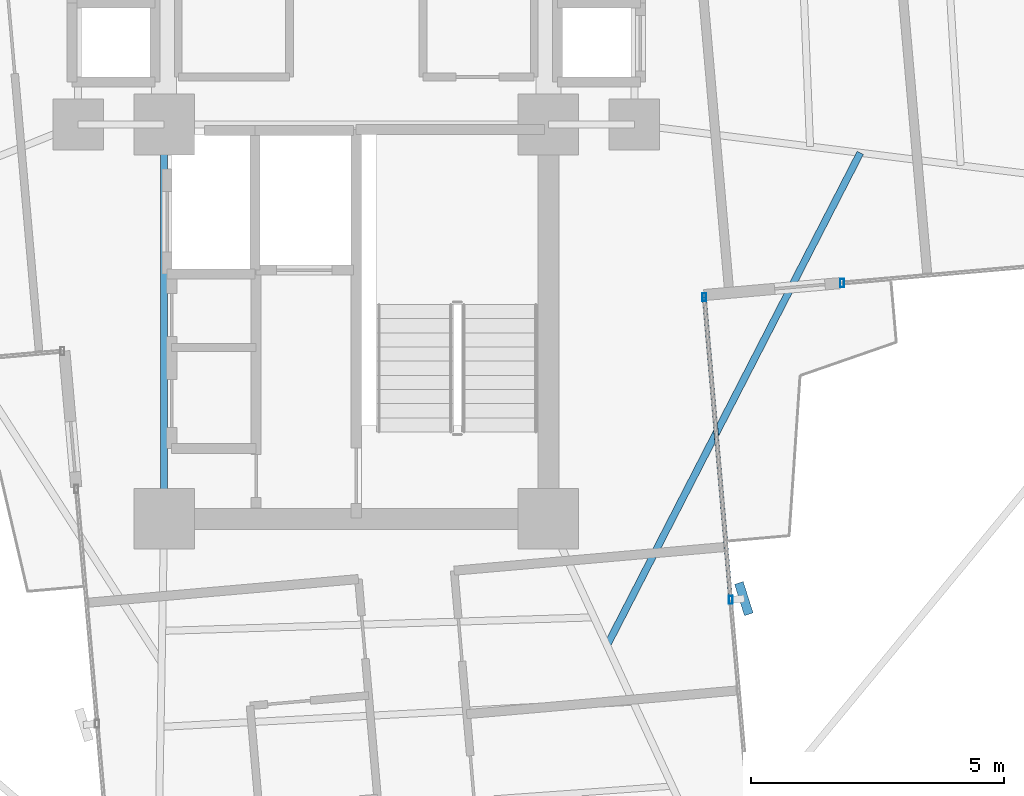
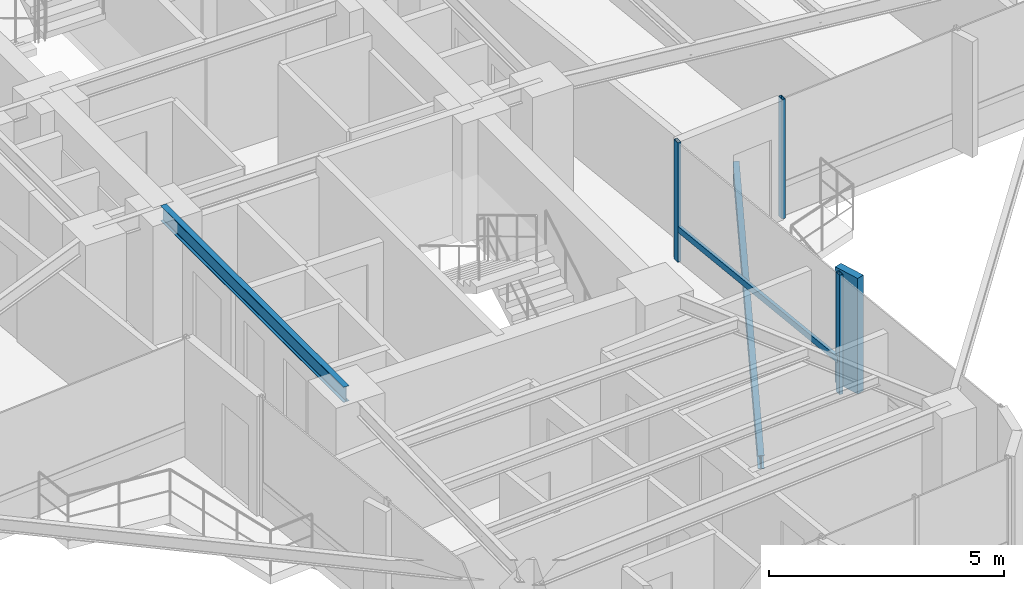
# One storey, part 7 of 24: 5 members, 2 beams, 2 elements without a shape of their own.
"""IFC4 building model written with IfcOpenShell, lengths in metres."""

import ifcopenshell
import ifcopenshell.guid

model = None  # the IFC model being written
_history = None  # IfcOwnerHistory: only IFC2X3 demands one
_inside = {}  # id of a spatial element -> (the spatial element, [elements in it])
_under = {}  # id of a project, library or spatial element -> (it, [spatial elements below it])
_declared = {}  # id of a project -> (the project, [libraries it declares])
_typed = {}  # id of a type object -> (the type object, [elements of that type])
_made_of = {}  # id of a material, layer set ... -> (it, [elements and type objects made of it])


def new_model(schema):
    """Start an empty IFC model of exactly this schema.

    Asked for "IFC4X3", IfcOpenShell would pick the latest addendum, in which some entities
    have other attributes; the version numbers below select the first issue.
    IFC2X3 requires an IfcOwnerHistory on every rooted entity: one is made here for all.
    """
    global model, _history
    if schema == "IFC4X3":
        model = ifcopenshell.file(schema_version=(4, 3, 0, 0))
    else:
        model = ifcopenshell.file(schema=schema)
    _inside.clear()
    _under.clear()
    _declared.clear()
    _typed.clear()
    _made_of.clear()
    _history = None
    if model.schema == "IFC2X3":
        org = make("IfcOrganization", Name="unknown")
        user = make(
            "IfcPersonAndOrganization",
            ThePerson=make("IfcPerson", FamilyName="unknown"),
            TheOrganization=org,
        )
        app = make(
            "IfcApplication",
            ApplicationDeveloper=org,
            Version="unknown",
            ApplicationFullName="unknown",
            ApplicationIdentifier="unknown",
        )
        _history = make(
            "IfcOwnerHistory",
            OwningUser=user,
            OwningApplication=app,
            ChangeAction="ADDED",
            CreationDate=0,
        )
    return model


def make(cls, **values):
    """One entity of the class cls with the attributes given. An attribute that is None is left unset."""
    return model.create_entity(
        cls, **{name: value for name, value in values.items() if value is not None}
    )


def rooted(cls, **values):
    """An entity with a GlobalId (a new one), such as an element, a storey or a relation."""
    return make(cls, GlobalId=ifcopenshell.guid.new(), OwnerHistory=_history, **values)


def si_unit(unit_type, name, prefix=None):
    """IfcSIUnit, for example si_unit("LENGTHUNIT", "METRE", prefix="MILLI")."""
    return make("IfcSIUnit", UnitType=unit_type, Prefix=prefix, Name=name)


def assignment(units):
    """IfcUnitAssignment: the units of a project."""
    return None if units is None else make("IfcUnitAssignment", Units=units)


def point(xyz):
    """IfcCartesianPoint."""
    return None if xyz is None else make("IfcCartesianPoint", Coordinates=xyz)


def direction(xyz):
    """IfcDirection."""
    return None if xyz is None else make("IfcDirection", DirectionRatios=xyz)


def frame(location, z_axis=None, x_axis=None):
    """IfcAxis2Placement3D, a coordinate frame: its origin and axes. An axis left out is left unset."""
    return make(
        "IfcAxis2Placement3D",
        Location=point(location),
        Axis=direction(z_axis),
        RefDirection=direction(x_axis),
    )


def frame_2d(location, x_axis=None):
    """IfcAxis2Placement2D, a coordinate frame in the plane: its origin and x axis."""
    return make(
        "IfcAxis2Placement2D", Location=point(location), RefDirection=direction(x_axis)
    )


def origin():
    """The frame at (0, 0, 0) with its axes left unset."""
    return frame((0.0, 0.0, 0.0))


def origin_2d():
    """The frame at (0, 0) in the plane with its x axis left unset."""
    return frame_2d((0.0, 0.0))


def place(relative_to, where):
    """IfcLocalPlacement: puts the frame where relative to a parent placement (None: the world)."""
    return make(
        "IfcLocalPlacement", PlacementRelTo=relative_to, RelativePlacement=where
    )


def context(
    kind, dimensions, precision=None, world=None, true_north=None, identifier=None
):
    """IfcGeometricRepresentationContext, for example the 3D "Model" context."""
    return make(
        "IfcGeometricRepresentationContext",
        ContextIdentifier=identifier,
        ContextType=kind,
        CoordinateSpaceDimension=dimensions,
        Precision=precision,
        WorldCoordinateSystem=world,
        TrueNorth=true_north,
    )


def subcontext(parent, identifier, kind, view, scale=None):
    """IfcGeometricRepresentationSubContext, for example "Body" below "Model"."""
    return make(
        "IfcGeometricRepresentationSubContext",
        ContextIdentifier=identifier,
        ContextType=kind,
        ParentContext=parent,
        TargetScale=scale,
        TargetView=view,
    )


def project(units=None, contexts=None):
    """IfcProject with its units and contexts."""
    return rooted(
        "IfcProject",
        Name="project",
        RepresentationContexts=contexts,
        UnitsInContext=assignment(units),
    )


def spatial(cls, under=None, at=None, **own):
    """A site, building, storey or space (cls), placed at a placement, below another one or the project."""
    s = rooted(cls, ObjectPlacement=at, **own)
    if under is not None:
        _under.setdefault(under.id(), (under, []))[1].append(s)
    return s


def profile(cls, at=None, kind="AREA", **sizes):
    """A parametric profile (cls). Its sizes go by their IFC names, for example OverallWidth=200.0."""
    return make(cls, ProfileType=kind, Position=at, **sizes)


def rectangle(**sizes):
    """IfcRectangleProfileDef."""
    return profile("IfcRectangleProfileDef", **sizes)


def hollow_rectangle(**sizes):
    """IfcRectangleHollowProfileDef."""
    return profile("IfcRectangleHollowProfileDef", **sizes)


def i_section(**sizes):
    """IfcIShapeProfileDef."""
    return profile("IfcIShapeProfileDef", **sizes)


def extrude(swept, where, along, depth):
    """IfcExtrudedAreaSolid: the profile swept, set in the frame where, extruded along a direction by depth."""
    return make(
        "IfcExtrudedAreaSolid",
        SweptArea=swept,
        Position=where,
        ExtrudedDirection=direction(along),
        Depth=depth,
    )


def shape(context_of_items, identifier, shape_type, items):
    """IfcShapeRepresentation: the items that make up one representation, for example the "Body"."""
    return make(
        "IfcShapeRepresentation",
        ContextOfItems=context_of_items,
        RepresentationIdentifier=identifier,
        RepresentationType=shape_type,
        Items=items,
    )


def source(mapping_origin, context_of_items, identifier, shape_type, items):
    """IfcRepresentationMap: a shape defined once, which mapped items show again and again."""
    return make(
        "IfcRepresentationMap",
        MappingOrigin=mapping_origin,
        MappedRepresentation=shape(context_of_items, identifier, shape_type, items),
    )


def transform(
    local_origin,
    x_axis=None,
    y_axis=None,
    z_axis=None,
    scale=None,
    scale2=None,
    scale3=None,
    uniform=True,
):
    """IfcCartesianTransformationOperator3D, or its non-uniform kind. x_axis, y_axis, z_axis: its Axis1, 2, 3."""
    if uniform:
        return make(
            "IfcCartesianTransformationOperator3D",
            Axis1=direction(x_axis),
            Axis2=direction(y_axis),
            LocalOrigin=point(local_origin),
            Scale=scale,
            Axis3=direction(z_axis),
        )
    return make(
        "IfcCartesianTransformationOperator3DnonUniform",
        Axis1=direction(x_axis),
        Axis2=direction(y_axis),
        LocalOrigin=point(local_origin),
        Scale=scale,
        Axis3=direction(z_axis),
        Scale2=scale2,
        Scale3=scale3,
    )


def mapped(mapping_source, mapping_target):
    """IfcMappedItem: shows the shape of a source again, moved by a transform."""
    return make(
        "IfcMappedItem", MappingSource=mapping_source, MappingTarget=mapping_target
    )


def material(Name=None, Category=None):
    """IfcMaterial."""
    return make("IfcMaterial", Name=Name, Category=Category)


def material_profile(
    of_material, cross_section, Name=None, Category=None, Priority=None
):
    """IfcMaterialProfile: a cross section and its material."""
    return make(
        "IfcMaterialProfile",
        Name=Name,
        Material=of_material,
        Profile=cross_section,
        Priority=Priority,
        Category=Category,
    )


def profile_set(profiles, Name=None, composite=None):
    """IfcMaterialProfileSet."""
    return make(
        "IfcMaterialProfileSet",
        Name=Name,
        MaterialProfiles=profiles,
        CompositeProfile=composite,
    )


def made_of(thing, what):
    """Note that an element or type object is made of a material, layer set ...; save() writes the relation."""
    if what is not None:
        _made_of.setdefault(what.id(), (what, []))[1].append(thing)
    return thing


def type_object(cls, material=None, **own):
    """A type object (cls), such as IfcWallType, which elements share."""
    return made_of(rooted(cls, **own), material)


def element(
    cls,
    number,
    at=None,
    inside=None,
    cuts=None,
    type_object=None,
    material=None,
    context=None,
    identifier="Body",
    shape_type=None,
    held_by="IfcProductDefinitionShape",
    body=None,
    shapes=None,
    **own,
):
    """One element of the class cls, such as IfcWall. Its Tag is "e" and its number.

    at: its placement. inside: the storey or other place that contains it. cuts: it is an
    opening in that element (IfcRelVoidsElement). A single representation is given by context,
    identifier, shape_type and body (its items); several are given by shapes. held_by: the class
    of the entity that holds the representations. save() writes the other relations.
    """
    e = rooted(cls, Tag="e%d" % number, ObjectPlacement=at, **own)
    if body is not None:
        shapes = [shape(context, identifier, shape_type, body)]
    if shapes is not None:
        e.Representation = make(held_by, Representations=shapes)
    if inside is not None:
        _inside.setdefault(inside.id(), (inside, []))[1].append(e)
    if cuts is not None:
        rooted(
            "IfcRelVoidsElement", RelatingBuildingElement=cuts, RelatedOpeningElement=e
        )
    if type_object is not None:
        _typed.setdefault(type_object.id(), (type_object, []))[1].append(e)
    return made_of(e, material)


def aggregate(whole, parts):
    """IfcRelAggregates: a whole, such as a stair, and the parts it consists of."""
    return rooted("IfcRelAggregates", RelatingObject=whole, RelatedObjects=parts)


def save(model, path):
    """Write the relations noted so far, then the file.

    IfcRelAggregates (storeys below a building ...), IfcRelContainedInSpatialStructure (elements
    in a storey), IfcRelDefinesByType, IfcRelAssociatesMaterial and IfcRelDeclares: one each for
    every whole, place, type object, material and project.
    """
    for whole, parts in _under.values():
        aggregate(whole, parts)
    for where, things in _inside.values():
        rooted(
            "IfcRelContainedInSpatialStructure",
            RelatedElements=things,
            RelatingStructure=where,
        )
    for kind, things in _typed.values():
        rooted("IfcRelDefinesByType", RelatedObjects=things, RelatingType=kind)
    for what, things in _made_of.values():
        rooted("IfcRelAssociatesMaterial", RelatedObjects=things, RelatingMaterial=what)
    for by, libraries in _declared.values():
        rooted("IfcRelDeclares", RelatingContext=by, RelatedDefinitions=libraries)
    model.write(path)


model = new_model("IFC4")

# Units and contexts
model_context = context("Model", 3, precision=1e-05, world=origin(), true_north=direction((0.0, 1.0)))
body_context = subcontext(model_context, "Body", "Model", "MODEL_VIEW")
ifc_project = project(units=[si_unit("LENGTHUNIT", "METRE"), si_unit("AREAUNIT", "SQUARE_METRE"), si_unit("VOLUMEUNIT", "CUBIC_METRE"), si_unit("PLANEANGLEUNIT", "RADIAN"), si_unit("MASSUNIT", "GRAM", prefix="KILO")], contexts=[model_context])

# Site, building, storey
site_placement = place(None, origin())
site = spatial("IfcSite", under=ifc_project, at=site_placement, CompositionType="ELEMENT")
building_placement = place(site_placement, origin())
building = spatial("IfcBuilding", under=site, at=building_placement, Name="Sahyath Konkavel Grand Hotel", CompositionType="ELEMENT")
storey_placement = place(building_placement, frame((0.0, 0.0, 150.60009765625)))
storey = spatial("IfcBuildingStorey", under=building, at=storey_placement, Name="L41", CompositionType="ELEMENT", Elevation=150.60009765625)

# Beam
ifc_material_1 = material(Name="Steel E350", Category="steel")
ifc_material_profile_1 = material_profile(ifc_material_1, i_section(OverallWidth=0.139892578125, OverallDepth=0.39990234375, WebThickness=0.0087890625, FlangeThickness=0.01611328125, FilletRadius=0.013916015625, at=origin_2d()), Name="ISMB 400")
ifc_profile_set_1 = profile_set([ifc_material_profile_1], Name="Steel E350")
beam_type_1 = type_object("IfcBeamType", Name="BM-ISMB400", PredefinedType="BEAM", material=ifc_profile_set_1)
shared_shape_1 = source(origin(), body_context, "Body", "SweptSolid", [
    extrude(i_section(OverallWidth=0.139892578125, OverallDepth=0.39990234375, WebThickness=0.0087890625, FlangeThickness=0.01611328125, FilletRadius=0.013916015625, at=origin_2d()), origin(), (0.0, 0.0, 1.0), 7.800048828125),
])
beam_1_placement = place(storey_placement, frame((-3.800048828125, -10.199951171875, 2.909912109375), z_axis=(0.0, 1.0, 0.0), x_axis=(-1.0, 0.0, 0.0)))
element("IfcBeam", 1, at=beam_1_placement, inside=storey, type_object=beam_type_1, Name="str:bm:L41:SC-W", PredefinedType="BEAM", context=body_context, shape_type="MappedRepresentation", body=[
    mapped(shared_shape_1, transform((0.0, 0.0, 0.0), scale=1.0)),
])

# Curtain wall, member
ifc_material_2 = material(Name="Anodised Bronze Aluminium & Low-E Glazing", Category="aluminium")
curtain_wall_type = type_object("IfcCurtainWallType", Name="CW-ZONE3", PredefinedType="NOTDEFINED", material=ifc_material_2)
curtain_wall_1_placement = place(storey_placement, origin())
curtain_wall_1 = element("IfcCurtainWall", 2, at=curtain_wall_1_placement, inside=storey, type_object=curtain_wall_type, Name="L41 Unitised Curtain Wall F0", PredefinedType="NOTDEFINED")
ifc_material_3 = material(Name="Anodised Bronze Aluminium", Category="aluminium")
ifc_material_profile_2 = material_profile(ifc_material_3, hollow_rectangle(XDim=0.080078125, YDim=0.159912109375, WallThickness=0.006103515625, at=origin_2d()), Name="RHS 160x80x6")
ifc_profile_set_2 = profile_set([ifc_material_profile_2], Name="Anodised Bronze Aluminium")
member_type_1 = type_object("IfcMemberType", Name="CW-MUL-160", PredefinedType="MULLION", material=ifc_profile_set_2)
shared_shape_2 = source(origin(), body_context, "Body", "SweptSolid", [
    extrude(hollow_rectangle(XDim=0.080078125, YDim=0.159912109375, WallThickness=0.006103515625, at=origin_2d()), origin(), (0.0, 0.0, 1.0), 3.10986328125),
])
member_1_placement = place(storey_placement, frame((9.60888671875, -5.53369140625, 0.0), z_axis=(0.0, 0.0, 1.0), x_axis=(1.0, 0.0, 0.0)))
member_1 = element("IfcMember", 3, at=member_1_placement, type_object=member_type_1, Name="L41 Curtain Wall Mullion F0-0", PredefinedType="MULLION", context=body_context, shape_type="MappedRepresentation", body=[
    mapped(shared_shape_2, transform((0.0, 0.0, 0.0), scale=1.0)),
])
aggregate(curtain_wall_1, [member_1])

# Curtain wall, members
curtain_wall_2_placement = place(storey_placement, origin())
curtain_wall_2 = element("IfcCurtainWall", 4, at=curtain_wall_2_placement, inside=storey, type_object=curtain_wall_type, Name="L41 Unitised Curtain Wall F31", PredefinedType="NOTDEFINED")
member_2_placement = place(storey_placement, frame((7.406494140625, -11.79931640625, 0.0), z_axis=(0.0, 0.0, 1.0), x_axis=(1.0, 0.0, 0.0)))
member_2 = element("IfcMember", 5, at=member_2_placement, type_object=member_type_1, Name="L41 Curtain Wall Mullion F31-1", PredefinedType="MULLION", context=body_context, shape_type="MappedRepresentation", body=[
    mapped(shared_shape_2, transform((0.0, 0.0, 0.0), scale=1.0)),
])
member_3_placement = place(storey_placement, frame((6.8828125, -5.812255859375, 0.0), z_axis=(0.0, 0.0, 1.0), x_axis=(1.0, 0.0, 0.0)))
member_3 = element("IfcMember", 6, at=member_3_placement, type_object=member_type_1, Name="L41 Curtain Wall Mullion F31-2", PredefinedType="MULLION", context=body_context, shape_type="MappedRepresentation", body=[
    mapped(shared_shape_2, transform((0.0, 0.0, 0.0), scale=1.0)),
])
ifc_material_4 = material(Name="Warm Buff Sandstone Cladding on Concrete C50/60", Category="masonry")
ifc_material_profile_3 = material_profile(ifc_material_4, rectangle(XDim=0.179931640625, YDim=0.64990234375, at=origin_2d()), Name="FIN 180x650")
ifc_profile_set_3 = profile_set([ifc_material_profile_3], Name="Warm Buff Sandstone Cladding on Concrete C50/60")
member_type_2 = type_object("IfcMemberType", Name="FIN-SANDSTONE-650", PredefinedType="MULLION", material=ifc_profile_set_3)
shared_shape_3 = source(origin(), body_context, "Body", "SweptSolid", [
    extrude(rectangle(XDim=0.179931640625, YDim=0.64990234375, at=origin_2d()), origin(), (0.0, 0.0, 1.0), 3.010009765625),
])
member_4_placement = place(storey_placement, frame((7.66552734375, -11.776611328125, 0.0498046875), z_axis=(0.0, 0.0, 1.0), x_axis=(0.953348857629, 0.301870759858, 0.0)))
member_4 = element("IfcMember", 7, at=member_4_placement, type_object=member_type_2, Name="L41 Sandstone Vertical Solar Fin FIN F31-1", PredefinedType="MULLION", context=body_context, shape_type="MappedRepresentation", body=[
    mapped(shared_shape_3, transform((0.0, 0.0, 0.0), scale=1.0)),
])
ifc_material_profile_4 = material_profile(ifc_material_3, hollow_rectangle(XDim=0.080078125, YDim=0.159912109375, WallThickness=0.006103515625, at=origin_2d()), Name="RHS 160x80x6")
ifc_profile_set_4 = profile_set([ifc_material_profile_4], Name="Anodised Bronze Aluminium")
member_type_3 = type_object("IfcMemberType", Name="CW-TRN-160", PredefinedType="USERDEFINED", material=ifc_profile_set_4)
shared_shape_4 = source(origin(), body_context, "Body", "SweptSolid", [
    extrude(hollow_rectangle(XDim=0.080078125, YDim=0.159912109375, WallThickness=0.006103515625, at=origin_2d()), origin(), (0.0, 0.0, 1.0), 6.010009765625),
])
member_5_placement = place(storey_placement, frame((7.406494140625, -11.79931640625, 0.849853515625), z_axis=(-0.087136210597, 0.996196406741, 0.0), x_axis=(-0.996196406741, -0.087136210597, 0.0)))
member_5 = element("IfcMember", 8, at=member_5_placement, type_object=member_type_3, Name="L41 Curtain Wall Transom F31-1-spandrel", ObjectType="TRANSOM", PredefinedType="USERDEFINED", context=body_context, shape_type="MappedRepresentation", body=[
    mapped(shared_shape_4, transform((0.0, 0.0, 0.0), scale=1.0)),
])
aggregate(curtain_wall_2, [member_2, member_4, member_3, member_5])

# Beam
ifc_material_profile_5 = material_profile(ifc_material_1, i_section(OverallWidth=0.139892578125, OverallDepth=0.35009765625, WebThickness=0.008056640625, FlangeThickness=0.01416015625, FilletRadius=0.013916015625, at=origin_2d()), Name="ISMB 350")
ifc_profile_set_5 = profile_set([ifc_material_profile_5], Name="Steel E350")
beam_type_2 = type_object("IfcBeamType", Name="BM-BALC-CANT", PredefinedType="BEAM", material=ifc_profile_set_5)
shared_shape_5 = source(origin(), body_context, "Body", "SweptSolid", [
    extrude(i_section(OverallWidth=0.139892578125, OverallDepth=0.35009765625, WebThickness=0.008056640625, FlangeThickness=0.01416015625, FilletRadius=0.013916015625, at=origin_2d()), origin(), (0.0, 0.0, 1.0), 10.95556640625),
])
beam_2_placement = place(storey_placement, frame((4.959716796875, -12.703125, -0.4150390625), z_axis=(0.457186878355, 0.889370652912, 0.0), x_axis=(-0.889370652912, 0.457186878355, 0.0)))
element("IfcBeam", 9, at=beam_2_placement, inside=storey, type_object=beam_type_2, Name="L41 Balcony Cantilever Support Beam SE", PredefinedType="BEAM", context=body_context, shape_type="MappedRepresentation", body=[
    mapped(shared_shape_5, transform((0.0, 0.0, 0.0), scale=1.0)),
])

save(model, "model.ifc")
